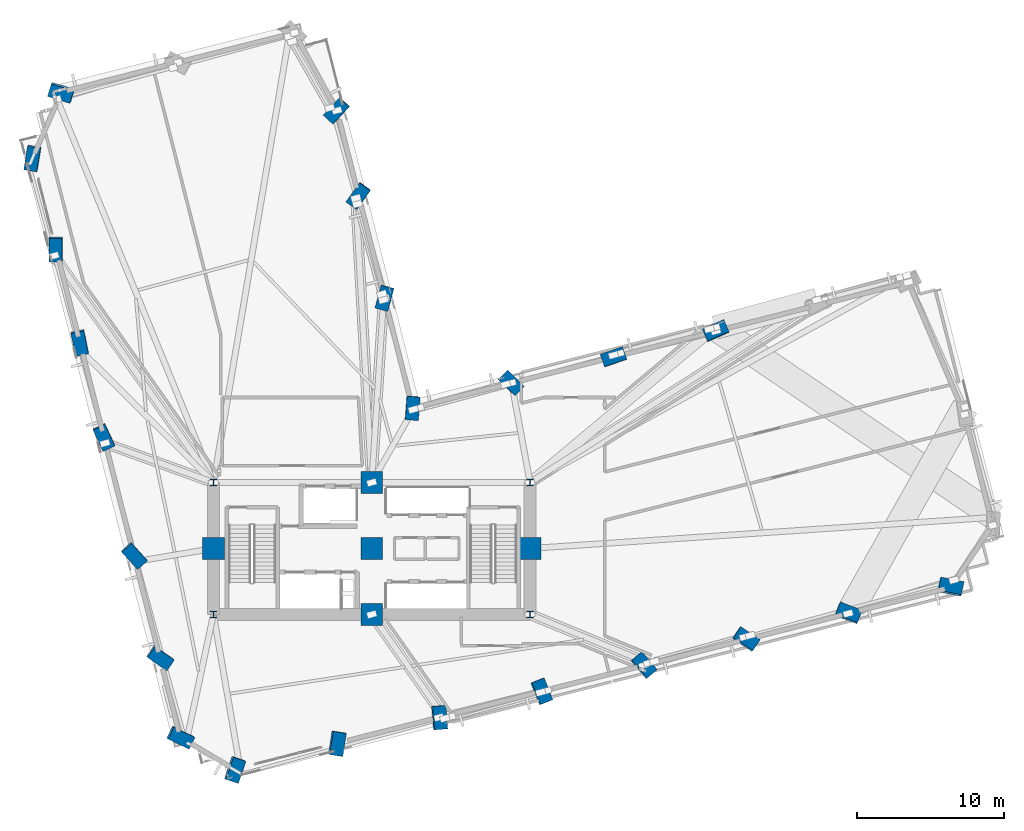
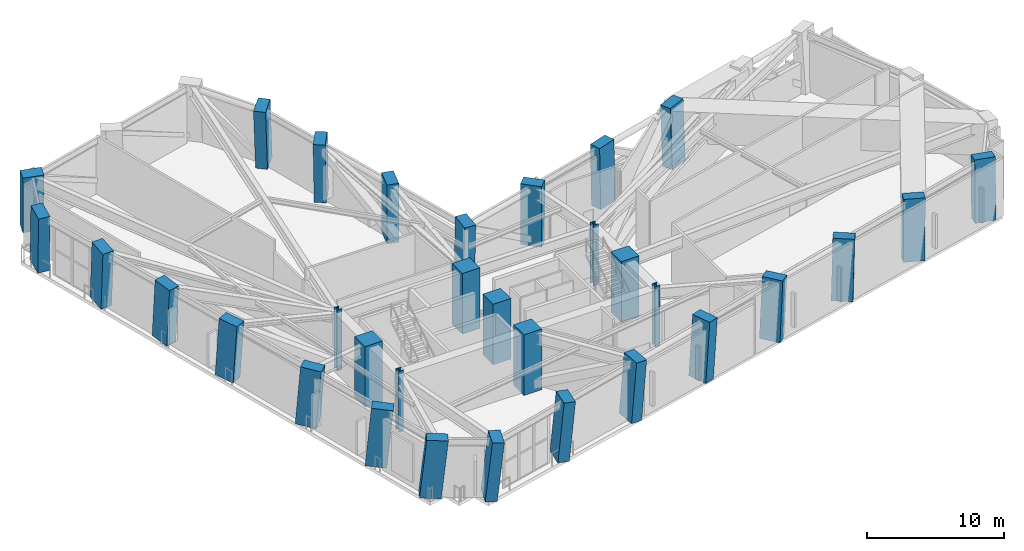
# One storey, part 1 of 17: 32 columns.
"""IFC4 building model written with IfcOpenShell, lengths in metres."""

from ifc_helpers import new_model, si_unit, direction, frame, origin, origin_2d, place, context, subcontext, project, spatial, rectangle, i_section, extrude, material, material_profile, profile_set, type_object, element, save


model = new_model("IFC4")

# Units and contexts
model_context = context("Model", 3, precision=1e-05, world=origin(), true_north=direction((0.0, 1.0)))
body_context = subcontext(model_context, "Body", "Model", "MODEL_VIEW")
ifc_project = project(units=[si_unit("LENGTHUNIT", "METRE"), si_unit("AREAUNIT", "SQUARE_METRE"), si_unit("VOLUMEUNIT", "CUBIC_METRE"), si_unit("PLANEANGLEUNIT", "RADIAN"), si_unit("MASSUNIT", "GRAM", prefix="KILO")], contexts=[model_context])

# Site, building, storey
site_placement = place(None, origin())
site = spatial("IfcSite", under=ifc_project, at=site_placement, CompositionType="ELEMENT")
building_placement = place(site_placement, origin())
building = spatial("IfcBuilding", under=site, at=building_placement, Name="Gaonmaruhae Medical Tower", CompositionType="ELEMENT")
storey_placement = place(building_placement, frame((0.0, 0.0, 83.0)))
storey = spatial("IfcBuildingStorey", under=building, at=storey_placement, Name="L19", CompositionType="ELEMENT", Elevation=83.0)

# Columns
ifc_material_1 = material(Name="Concrete C60/75", Category="concrete")
ifc_material_profile_1 = material_profile(ifc_material_1, rectangle(XDim=1.5, YDim=1.5, at=origin_2d()), Name="RC-1500x1500")
ifc_profile_set_1 = profile_set([ifc_material_profile_1], Name="Concrete C60/75")
column_type_1 = type_object("IfcColumnType", Name="CC-02 Zone 1 Core Column (RC-1500x1500)", PredefinedType="COLUMN", material=ifc_profile_set_1)
for number, where, z_axis, x_axis, name in (
    (1, (14.0, 12.300048828125, 0.0), (0.0, 0.0, 1.0), (1.0, 0.0, 0.0), "L19 Plumb Core Column CC12"),
    (2, (24.800048828125, 7.800048828125, 0.0), (0.0, 0.0, 1.0), (1.0, 0.0, 0.0), "L19 Plumb Core Column CC21"),
    (3, (24.800048828125, 12.300048828125, 0.0), (0.0, 0.0, 1.0), (1.0, 0.0, 0.0), "L19 Plumb Core Column CC22"),
    (4, (24.800048828125, 16.800048828125, 0.0), (0.0, 0.0, 1.0), (1.0, 0.0, 0.0), "L19 Plumb Core Column CC23"),
    (5, (35.60009765625, 12.300048828125, 0.0), (0.0, 0.0, 1.0), (1.0, 0.0, 0.0), "L19 Plumb Core Column CC32"),
):
    element("IfcColumn", number, at=place(storey_placement, frame(where, z_axis=z_axis, x_axis=x_axis)), inside=storey, type_object=column_type_1, Name=name, PredefinedType="COLUMN", context=body_context, shape_type="SweptSolid", body=[
        extrude(rectangle(XDim=1.5, YDim=1.5, at=origin_2d()), origin(), (0.0, 0.0, 1.0), 5.39990234375),
    ])
ifc_material_2 = material(Name="Steel HSA650 (650 MPa)", Category="steel")
ifc_material_profile_2 = material_profile(ifc_material_2, i_section(OverallWidth=0.4169921875, OverallDepth=0.4580078125, WebThickness=0.030029296875, FlangeThickness=0.050048828125, FilletRadius=0.02197265625, at=origin_2d()), Name="H-458x417x30x50")
ifc_profile_set_2 = profile_set([ifc_material_profile_2], Name="Steel HSA650 (650 MPa)")
column_type_2 = type_object("IfcColumnType", Name="SC-03 Refuge Core Collector Column (H-458x417x30x50)", PredefinedType="COLUMN", material=ifc_profile_set_2)
for number, where, z_axis, x_axis, name in (
    (6, (14.0, 7.800048828125, 0.0), (0.0, 0.0, 1.0), (1.0, 0.0, 0.0), "L19 Plumb Core Column CC11"),
    (7, (14.0, 16.800048828125, 0.0), (0.0, 0.0, 1.0), (1.0, 0.0, 0.0), "L19 Plumb Core Column CC13"),
    (8, (35.60009765625, 7.800048828125, 0.0), (0.0, 0.0, 1.0), (1.0, 0.0, 0.0), "L19 Plumb Core Column CC31"),
    (9, (35.60009765625, 16.800048828125, 0.0), (0.0, 0.0, 1.0), (1.0, 0.0, 0.0), "L19 Plumb Core Column CC33"),
):
    element("IfcColumn", number, at=place(storey_placement, frame(where, z_axis=z_axis, x_axis=x_axis)), inside=storey, type_object=column_type_2, Name=name, PredefinedType="COLUMN", context=body_context, shape_type="SweptSolid", body=[
        extrude(i_section(OverallWidth=0.4169921875, OverallDepth=0.4580078125, WebThickness=0.030029296875, FlangeThickness=0.050048828125, FilletRadius=0.02197265625, at=origin_2d()), origin(), (0.0, 0.0, 1.0), 5.39990234375),
    ])
ifc_material_profile_3 = material_profile(ifc_material_1, rectangle(XDim=1.60009765625, YDim=0.89990234375, at=origin_2d()), Name="RC-1600x900")
ifc_profile_set_3 = profile_set([ifc_material_profile_3], Name="Concrete C60/75")
column_type_3 = type_object("IfcColumnType", Name="TC-01 Lower Raking Tube Pier Column (RC-1600x900)", PredefinedType="COLUMN", material=ifc_profile_set_3)
column_1_placement = place(storey_placement, frame((15.433349609375, -2.775146484375, 0.06640625), z_axis=(0.084664478293, -0.054829011269, 0.994899847039), x_axis=(0.32129035803, 0.94665518044, 0.024828918294)))
element("IfcColumn", 10, at=column_1_placement, inside=storey, type_object=column_type_3, Name="L19 Perimeter Tube Column S01", PredefinedType="COLUMN", context=body_context, shape_type="SweptSolid", body=[
    extrude(rectangle(XDim=1.60009765625, YDim=0.89990234375, at=origin_2d()), origin(), (0.0, 0.0, 1.0), 5.29443359375),
])
column_2_placement = place(storey_placement, frame((22.41064453125, -1.001220703125, 0.056884765625), z_axis=(0.079189961122, -0.033590163637, 0.996293456249), x_axis=(0.152709688762, 0.988044236721, 0.021173975543)))
element("IfcColumn", 11, at=column_2_placement, inside=storey, type_object=column_type_3, Name="L19 Perimeter Tube Column S02", PredefinedType="COLUMN", context=body_context, shape_type="SweptSolid", body=[
    extrude(rectangle(XDim=1.60009765625, YDim=0.89990234375, at=origin_2d()), origin(), (0.0, 0.0, 1.0), 5.305908203125),
])
column_3_placement = place(storey_placement, frame((29.38818359375, 0.7724609375, 0.0498046875), z_axis=(0.073676589535, -0.012310053613, 0.997206208732), x_axis=(-0.082382271266, 0.996431169033, 0.018387135717)))
element("IfcColumn", 12, at=column_3_placement, inside=storey, type_object=column_type_3, Name="L19 Perimeter Tube Column S03", PredefinedType="COLUMN", context=body_context, shape_type="SweptSolid", body=[
    extrude(rectangle(XDim=1.60009765625, YDim=0.89990234375, at=origin_2d()), origin(), (0.0, 0.0, 1.0), 5.315185546875),
])
column_4_placement = place(storey_placement, frame((36.3662109375, 2.5458984375, 0.0458984375), z_axis=(0.068093798468, 0.008993520552, 0.997638386991), x_axis=(-0.370367239519, 0.928731532112, 0.016907074011)))
element("IfcColumn", 13, at=column_4_placement, inside=storey, type_object=column_type_3, Name="L19 Perimeter Tube Column S04", PredefinedType="COLUMN", context=body_context, shape_type="SweptSolid", body=[
    extrude(rectangle(XDim=1.60009765625, YDim=0.89990234375, at=origin_2d()), origin(), (0.0, 0.0, 1.0), 5.320556640625),
])
column_5_placement = place(storey_placement, frame((43.344482421875, 4.319091796875, 0.04638671875), z_axis=(0.062458060965, 0.03038004141, 0.997585105996), x_axis=(-0.644771354193, 0.764184277734, 0.017096504793)))
element("IfcColumn", 14, at=column_5_placement, inside=storey, type_object=column_type_3, Name="L19 Perimeter Tube Column S05", PredefinedType="COLUMN", context=body_context, shape_type="SweptSolid", body=[
    extrude(rectangle(XDim=1.60009765625, YDim=0.89990234375, at=origin_2d()), origin(), (0.0, 0.0, 1.0), 5.320068359375),
])
column_6_placement = place(storey_placement, frame((50.322998046875, 6.092529296875, 0.051025390625), z_axis=(0.056836132689, 0.051690096423, 0.997044526565), x_axis=(-0.833686678379, 0.551913850836, 0.018910937279)))
element("IfcColumn", 15, at=column_6_placement, inside=storey, type_object=column_type_3, Name="L19 Perimeter Tube Column S06", PredefinedType="COLUMN", context=body_context, shape_type="SweptSolid", body=[
    extrude(rectangle(XDim=1.60009765625, YDim=0.89990234375, at=origin_2d()), origin(), (0.0, 0.0, 1.0), 5.3134765625),
])
column_7_placement = place(storey_placement, frame((57.301513671875, 7.86669921875, 0.058837890625), z_axis=(0.05119159938, 0.072874372139, 0.996026478583), x_axis=(-0.934036127233, 0.35650518495, 0.02192181853)))
element("IfcColumn", 16, at=column_7_placement, inside=storey, type_object=column_type_3, Name="L19 Perimeter Tube Column S07", PredefinedType="COLUMN", context=body_context, shape_type="SweptSolid", body=[
    extrude(rectangle(XDim=1.60009765625, YDim=0.89990234375, at=origin_2d()), origin(), (0.0, 0.0, 1.0), 5.30322265625),
])
column_8_placement = place(storey_placement, frame((64.280029296875, 9.64111328125, 0.068603515625), z_axis=(0.04553695247, 0.094072792387, 0.994523351004), x_axis=(-0.979058697843, 0.201946050717, 0.025726616133)))
element("IfcColumn", 17, at=column_8_placement, inside=storey, type_object=column_type_3, Name="L19 Perimeter Tube Column S08", PredefinedType="COLUMN", context=body_context, shape_type="SweptSolid", body=[
    extrude(rectangle(XDim=1.60009765625, YDim=0.89990234375, at=origin_2d()), origin(), (0.0, 0.0, 1.0), 5.291748046875),
])
column_9_placement = place(storey_placement, frame((48.276611328125, 27.135986328125, 0.03125), z_axis=(-0.007539494773, 0.044962805193, 0.998960210503), x_axis=(-0.91522043528, -0.402797238895, 0.011222262888)))
element("IfcColumn", 18, at=column_9_placement, inside=storey, type_object=column_type_3, Name="L19 Perimeter Tube Column EN02", PredefinedType="COLUMN", context=body_context, shape_type="SweptSolid", body=[
    extrude(rectangle(XDim=1.60009765625, YDim=0.89990234375, at=origin_2d()), origin(), (0.0, 0.0, 1.0), 5.343017578125),
])
column_10_placement = place(storey_placement, frame((41.29833984375, 25.36279296875, 0.017578125), z_axis=(-0.001910726484, 0.023611120128, 0.999719392695), x_axis=(-0.946223306934, -0.323461672201, 0.005830954675)))
element("IfcColumn", 19, at=column_10_placement, inside=storey, type_object=column_type_3, Name="L19 Perimeter Tube Column EN03", PredefinedType="COLUMN", context=body_context, shape_type="SweptSolid", body=[
    extrude(rectangle(XDim=1.60009765625, YDim=0.89990234375, at=origin_2d()), origin(), (0.0, 0.0, 1.0), 5.366455078125),
])
column_11_placement = place(storey_placement, frame((34.320068359375, 23.590087890625, 0.005126953125), z_axis=(0.003669109225, 0.002219584593, 0.999990805499), x_axis=(-0.71228568989, 0.701888867105, 0.001055561986)))
element("IfcColumn", 20, at=column_11_placement, inside=storey, type_object=column_type_3, Name="L19 Perimeter Tube Column EN04", PredefinedType="COLUMN", context=body_context, shape_type="SweptSolid", body=[
    extrude(rectangle(XDim=1.60009765625, YDim=0.89990234375, at=origin_2d()), origin(), (0.0, 0.0, 1.0), 5.3896484375),
])
column_12_placement = place(storey_placement, frame((27.583984375, 21.87890625, 0.021240234375), z_axis=(0.00911218611, -0.018406615943, 0.999789060029), x_axis=(0.077013703313, 0.99687377864, 0.017651032898)))
element("IfcColumn", 21, at=column_12_placement, inside=storey, type_object=column_type_3, Name="L19 Perimeter Tube Column KN01", PredefinedType="COLUMN", context=body_context, shape_type="SweptSolid", body=[
    extrude(rectangle(XDim=1.60009765625, YDim=0.89990234375, at=origin_2d()), origin(), (0.0, 0.0, 1.0), 5.358642578125),
])
column_13_placement = place(storey_placement, frame((25.67578125, 29.39013671875, 0.02734375), z_axis=(-0.013879601938, -0.024426273147, 0.999605279013), x_axis=(0.264631552742, 0.963965081895, 0.027229803181)))
element("IfcColumn", 22, at=column_13_placement, inside=storey, type_object=column_type_3, Name="L19 Perimeter Tube Column NE01", PredefinedType="COLUMN", context=body_context, shape_type="SweptSolid", body=[
    extrude(rectangle(XDim=1.60009765625, YDim=0.89990234375, at=origin_2d()), origin(), (0.0, 0.0, 1.0), 5.347412109375),
])
column_14_placement = place(storey_placement, frame((23.90234375, 36.367919921875, 0.04345703125), z_axis=(-0.035253022148, -0.030020151673, 0.998927432261), x_axis=(0.577543658197, 0.81512529402, 0.044878479542)))
element("IfcColumn", 23, at=column_14_placement, inside=storey, type_object=column_type_3, Name="L19 Perimeter Tube Column NE02", PredefinedType="COLUMN", context=body_context, shape_type="SweptSolid", body=[
    extrude(rectangle(XDim=1.60009765625, YDim=0.89990234375, at=origin_2d()), origin(), (0.0, 0.0, 1.0), 5.318603515625),
])
column_15_placement = place(storey_placement, frame((22.423828125, 42.1826171875, 0.05859375), z_axis=(-0.052994414732, -0.034683898937, 0.997992294139), x_axis=(0.674553300367, 0.735669436284, 0.061386688151)))
element("IfcColumn", 24, at=column_15_placement, inside=storey, type_object=column_type_3, Name="L19 Perimeter Tube Column NE03", PredefinedType="COLUMN", context=body_context, shape_type="SweptSolid", body=[
    extrude(rectangle(XDim=1.60009765625, YDim=0.89990234375, at=origin_2d()), origin(), (0.0, 0.0, 1.0), 5.29345703125),
])
column_16_placement = place(storey_placement, frame((3.6337890625, 43.44189453125, 0.07080078125), z_axis=(-0.056173225752, -0.091945000573, 0.99417839726), x_axis=(0.954672654347, -0.296473772737, 0.026522162823)))
element("IfcColumn", 25, at=column_16_placement, inside=storey, type_object=column_type_3, Name="L19 Perimeter Tube Column N03", PredefinedType="COLUMN", context=body_context, shape_type="SweptSolid", body=[
    extrude(rectangle(XDim=1.60009765625, YDim=0.89990234375, at=origin_2d()), origin(), (0.0, 0.0, 1.0), 5.289306640625),
])
column_17_placement = place(storey_placement, frame((1.673583984375, 38.968994140625, 0.096923828125), z_axis=(-0.042478156587, -0.097825655895, 0.994296609298), x_axis=(0.158051547061, 0.982005416547, 0.103368613923)))
element("IfcColumn", 26, at=column_17_placement, inside=storey, type_object=column_type_3, Name="L19 Perimeter Tube Column W01", PredefinedType="COLUMN", context=body_context, shape_type="SweptSolid", body=[
    extrude(rectangle(XDim=1.60009765625, YDim=0.89990234375, at=origin_2d()), origin(), (0.0, 0.0, 1.0), 5.23583984375),
])
column_18_placement = place(storey_placement, frame((3.2509765625, 32.767333984375, 0.08740234375), z_axis=(-0.02358015442, -0.092971851451, 0.995389477117), x_axis=(-0.001418796286, 0.99566843209, 0.092964296142)))
element("IfcColumn", 27, at=column_18_placement, inside=storey, type_object=column_type_3, Name="L19 Perimeter Tube Column W02", PredefinedType="COLUMN", context=body_context, shape_type="SweptSolid", body=[
    extrude(rectangle(XDim=1.60009765625, YDim=0.89990234375, at=origin_2d()), origin(), (0.0, 0.0, 1.0), 5.249267578125),
])
column_19_placement = place(storey_placement, frame((4.87744140625, 26.371337890625, 0.08056640625), z_axis=(-0.004131364911, -0.087872739054, 0.996123141763), x_axis=(-0.200539737228, 0.975968250268, 0.085263053318)))
element("IfcColumn", 28, at=column_19_placement, inside=storey, type_object=column_type_3, Name="L19 Perimeter Tube Column W03", PredefinedType="COLUMN", context=body_context, shape_type="SweptSolid", body=[
    extrude(rectangle(XDim=1.60009765625, YDim=0.89990234375, at=origin_2d()), origin(), (0.0, 0.0, 1.0), 5.259521484375),
])
column_20_placement = place(storey_placement, frame((6.515869140625, 19.9267578125, 0.0771484375), z_axis=(0.015581849384, -0.082732200303, 0.996449993227), x_axis=(-0.42065520571, 0.90354370308, 0.081596412501)))
element("IfcColumn", 29, at=column_20_placement, inside=storey, type_object=column_type_3, Name="L19 Perimeter Tube Column W04", PredefinedType="COLUMN", context=body_context, shape_type="SweptSolid", body=[
    extrude(rectangle(XDim=1.60009765625, YDim=0.89990234375, at=origin_2d()), origin(), (0.0, 0.0, 1.0), 5.2646484375),
])
column_21_placement = place(storey_placement, frame((8.5732421875, 11.833984375, 0.078857421875), z_axis=(0.040274209638, -0.076233325387, 0.996276301102), x_axis=(-0.66870935925, 0.738813013838, 0.083565085021)))
element("IfcColumn", 30, at=column_21_placement, inside=storey, type_object=column_type_3, Name="L19 Perimeter Tube Column W05", PredefinedType="COLUMN", context=body_context, shape_type="SweptSolid", body=[
    extrude(rectangle(XDim=1.60009765625, YDim=0.89990234375, at=origin_2d()), origin(), (0.0, 0.0, 1.0), 5.26171875),
])
column_22_placement = place(storey_placement, frame((10.34765625, 4.85546875, 0.08544921875), z_axis=(0.061545588562, -0.070563597763, 0.995606809538), x_axis=(-0.819791527187, 0.565425486898, 0.090751698156)))
element("IfcColumn", 31, at=column_22_placement, inside=storey, type_object=column_type_3, Name="L19 Perimeter Tube Column W06", PredefinedType="COLUMN", context=body_context, shape_type="SweptSolid", body=[
    extrude(rectangle(XDim=1.60009765625, YDim=0.89990234375, at=origin_2d()), origin(), (0.0, 0.0, 1.0), 5.252197265625),
])
column_23_placement = place(storey_placement, frame((11.72802734375, -0.572265625, 0.09326171875), z_axis=(0.078024300494, -0.066192555822, 0.994751604214), x_axis=(-0.894456347826, 0.436019429204, 0.099171060244)))
element("IfcColumn", 32, at=column_23_placement, inside=storey, type_object=column_type_3, Name="L19 Perimeter Tube Column W07", PredefinedType="COLUMN", context=body_context, shape_type="SweptSolid", body=[
    extrude(rectangle(XDim=1.60009765625, YDim=0.89990234375, at=origin_2d()), origin(), (0.0, 0.0, 1.0), 5.2412109375),
])

save(model, "model.ifc")
